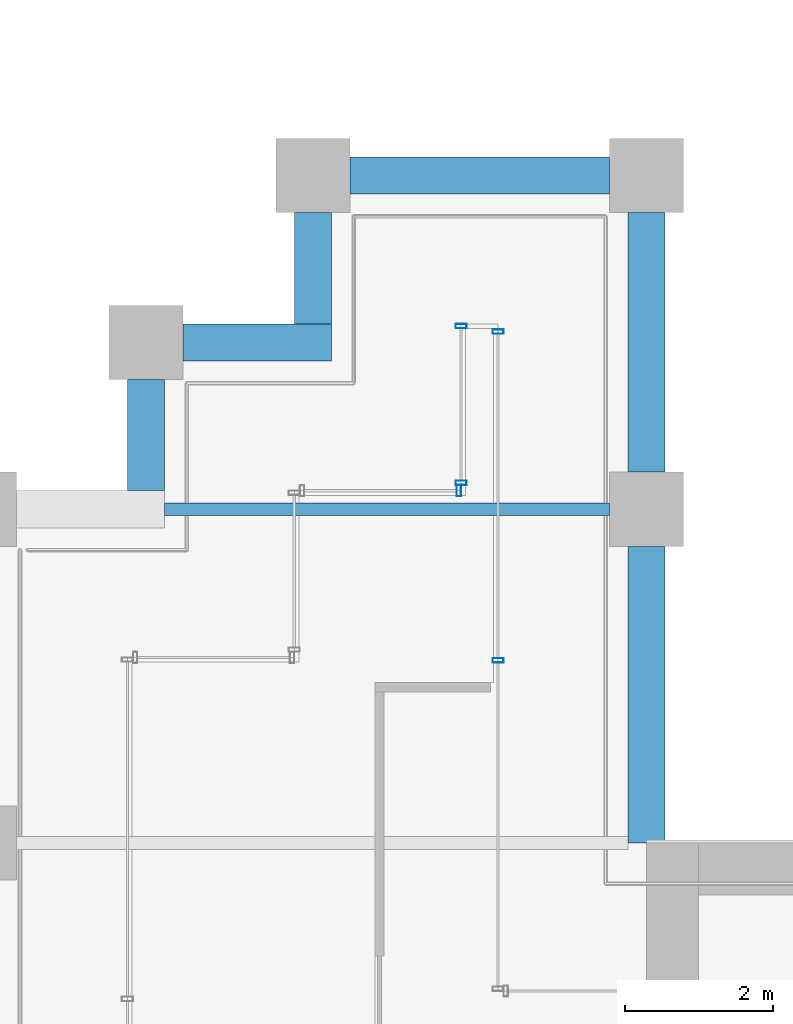
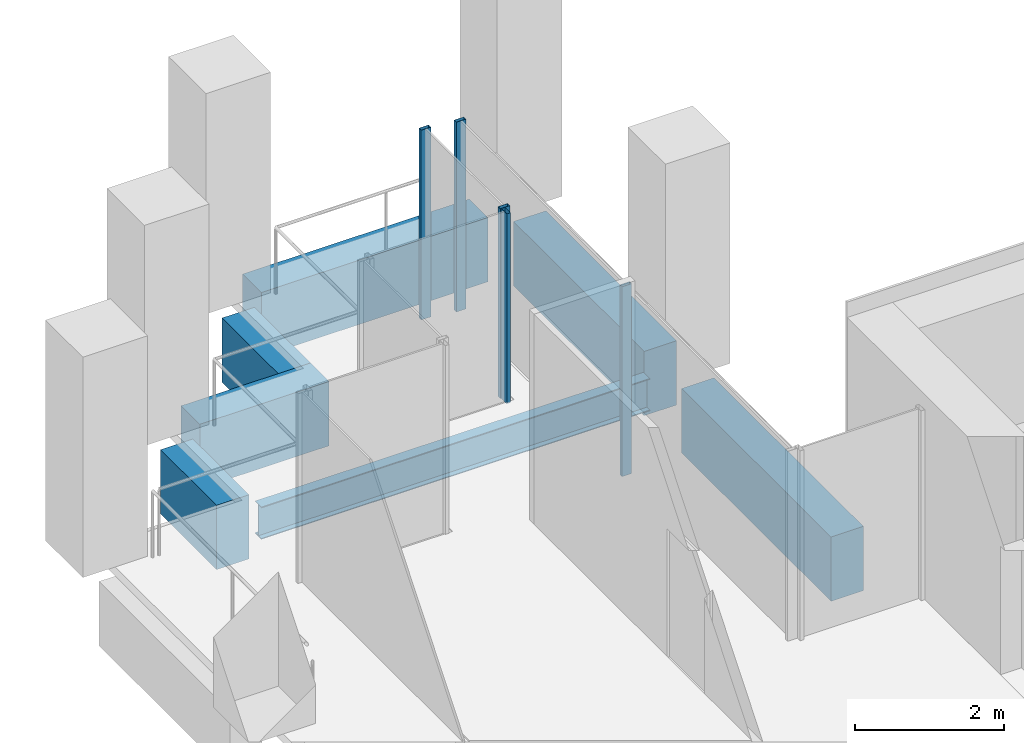
# One storey, part 35 of 46: 7 beams, 5 members, 3 elements without a shape of their own.
"""IFC4 building model written with IfcOpenShell, lengths in metres."""

import ifcopenshell
import ifcopenshell.guid

model = None  # the IFC model being written
_history = None  # IfcOwnerHistory: only IFC2X3 demands one
_inside = {}  # id of a spatial element -> (the spatial element, [elements in it])
_under = {}  # id of a project, library or spatial element -> (it, [spatial elements below it])
_declared = {}  # id of a project -> (the project, [libraries it declares])
_typed = {}  # id of a type object -> (the type object, [elements of that type])
_made_of = {}  # id of a material, layer set ... -> (it, [elements and type objects made of it])


def new_model(schema):
    """Start an empty IFC model of exactly this schema.

    Asked for "IFC4X3", IfcOpenShell would pick the latest addendum, in which some entities
    have other attributes; the version numbers below select the first issue.
    IFC2X3 requires an IfcOwnerHistory on every rooted entity: one is made here for all.
    """
    global model, _history
    if schema == "IFC4X3":
        model = ifcopenshell.file(schema_version=(4, 3, 0, 0))
    else:
        model = ifcopenshell.file(schema=schema)
    _inside.clear()
    _under.clear()
    _declared.clear()
    _typed.clear()
    _made_of.clear()
    _history = None
    if model.schema == "IFC2X3":
        org = make("IfcOrganization", Name="unknown")
        user = make(
            "IfcPersonAndOrganization",
            ThePerson=make("IfcPerson", FamilyName="unknown"),
            TheOrganization=org,
        )
        app = make(
            "IfcApplication",
            ApplicationDeveloper=org,
            Version="unknown",
            ApplicationFullName="unknown",
            ApplicationIdentifier="unknown",
        )
        _history = make(
            "IfcOwnerHistory",
            OwningUser=user,
            OwningApplication=app,
            ChangeAction="ADDED",
            CreationDate=0,
        )
    return model


def make(cls, **values):
    """One entity of the class cls with the attributes given. An attribute that is None is left unset."""
    return model.create_entity(
        cls, **{name: value for name, value in values.items() if value is not None}
    )


def rooted(cls, **values):
    """An entity with a GlobalId (a new one), such as an element, a storey or a relation."""
    return make(cls, GlobalId=ifcopenshell.guid.new(), OwnerHistory=_history, **values)


def si_unit(unit_type, name, prefix=None):
    """IfcSIUnit, for example si_unit("LENGTHUNIT", "METRE", prefix="MILLI")."""
    return make("IfcSIUnit", UnitType=unit_type, Prefix=prefix, Name=name)


def assignment(units):
    """IfcUnitAssignment: the units of a project."""
    return None if units is None else make("IfcUnitAssignment", Units=units)


def point(xyz):
    """IfcCartesianPoint."""
    return None if xyz is None else make("IfcCartesianPoint", Coordinates=xyz)


def direction(xyz):
    """IfcDirection."""
    return None if xyz is None else make("IfcDirection", DirectionRatios=xyz)


def frame(location, z_axis=None, x_axis=None):
    """IfcAxis2Placement3D, a coordinate frame: its origin and axes. An axis left out is left unset."""
    return make(
        "IfcAxis2Placement3D",
        Location=point(location),
        Axis=direction(z_axis),
        RefDirection=direction(x_axis),
    )


def frame_2d(location, x_axis=None):
    """IfcAxis2Placement2D, a coordinate frame in the plane: its origin and x axis."""
    return make(
        "IfcAxis2Placement2D", Location=point(location), RefDirection=direction(x_axis)
    )


def origin():
    """The frame at (0, 0, 0) with its axes left unset."""
    return frame((0.0, 0.0, 0.0))


def origin_2d():
    """The frame at (0, 0) in the plane with its x axis left unset."""
    return frame_2d((0.0, 0.0))


def place(relative_to, where):
    """IfcLocalPlacement: puts the frame where relative to a parent placement (None: the world)."""
    return make(
        "IfcLocalPlacement", PlacementRelTo=relative_to, RelativePlacement=where
    )


def context(
    kind, dimensions, precision=None, world=None, true_north=None, identifier=None
):
    """IfcGeometricRepresentationContext, for example the 3D "Model" context."""
    return make(
        "IfcGeometricRepresentationContext",
        ContextIdentifier=identifier,
        ContextType=kind,
        CoordinateSpaceDimension=dimensions,
        Precision=precision,
        WorldCoordinateSystem=world,
        TrueNorth=true_north,
    )


def subcontext(parent, identifier, kind, view, scale=None):
    """IfcGeometricRepresentationSubContext, for example "Body" below "Model"."""
    return make(
        "IfcGeometricRepresentationSubContext",
        ContextIdentifier=identifier,
        ContextType=kind,
        ParentContext=parent,
        TargetScale=scale,
        TargetView=view,
    )


def project(units=None, contexts=None):
    """IfcProject with its units and contexts."""
    return rooted(
        "IfcProject",
        Name="project",
        RepresentationContexts=contexts,
        UnitsInContext=assignment(units),
    )


def spatial(cls, under=None, at=None, **own):
    """A site, building, storey or space (cls), placed at a placement, below another one or the project."""
    s = rooted(cls, ObjectPlacement=at, **own)
    if under is not None:
        _under.setdefault(under.id(), (under, []))[1].append(s)
    return s


def profile(cls, at=None, kind="AREA", **sizes):
    """A parametric profile (cls). Its sizes go by their IFC names, for example OverallWidth=200.0."""
    return make(cls, ProfileType=kind, Position=at, **sizes)


def rectangle(**sizes):
    """IfcRectangleProfileDef."""
    return profile("IfcRectangleProfileDef", **sizes)


def hollow_rectangle(**sizes):
    """IfcRectangleHollowProfileDef."""
    return profile("IfcRectangleHollowProfileDef", **sizes)


def i_section(**sizes):
    """IfcIShapeProfileDef."""
    return profile("IfcIShapeProfileDef", **sizes)


def extrude(swept, where, along, depth):
    """IfcExtrudedAreaSolid: the profile swept, set in the frame where, extruded along a direction by depth."""
    return make(
        "IfcExtrudedAreaSolid",
        SweptArea=swept,
        Position=where,
        ExtrudedDirection=direction(along),
        Depth=depth,
    )


def shape(context_of_items, identifier, shape_type, items):
    """IfcShapeRepresentation: the items that make up one representation, for example the "Body"."""
    return make(
        "IfcShapeRepresentation",
        ContextOfItems=context_of_items,
        RepresentationIdentifier=identifier,
        RepresentationType=shape_type,
        Items=items,
    )


def material(Name=None, Category=None):
    """IfcMaterial."""
    return make("IfcMaterial", Name=Name, Category=Category)


def material_profile(
    of_material, cross_section, Name=None, Category=None, Priority=None
):
    """IfcMaterialProfile: a cross section and its material."""
    return make(
        "IfcMaterialProfile",
        Name=Name,
        Material=of_material,
        Profile=cross_section,
        Priority=Priority,
        Category=Category,
    )


def profile_set(profiles, Name=None, composite=None):
    """IfcMaterialProfileSet."""
    return make(
        "IfcMaterialProfileSet",
        Name=Name,
        MaterialProfiles=profiles,
        CompositeProfile=composite,
    )


def made_of(thing, what):
    """Note that an element or type object is made of a material, layer set ...; save() writes the relation."""
    if what is not None:
        _made_of.setdefault(what.id(), (what, []))[1].append(thing)
    return thing


def type_object(cls, material=None, **own):
    """A type object (cls), such as IfcWallType, which elements share."""
    return made_of(rooted(cls, **own), material)


def element(
    cls,
    number,
    at=None,
    inside=None,
    cuts=None,
    type_object=None,
    material=None,
    context=None,
    identifier="Body",
    shape_type=None,
    held_by="IfcProductDefinitionShape",
    body=None,
    shapes=None,
    **own,
):
    """One element of the class cls, such as IfcWall. Its Tag is "e" and its number.

    at: its placement. inside: the storey or other place that contains it. cuts: it is an
    opening in that element (IfcRelVoidsElement). A single representation is given by context,
    identifier, shape_type and body (its items); several are given by shapes. held_by: the class
    of the entity that holds the representations. save() writes the other relations.
    """
    e = rooted(cls, Tag="e%d" % number, ObjectPlacement=at, **own)
    if body is not None:
        shapes = [shape(context, identifier, shape_type, body)]
    if shapes is not None:
        e.Representation = make(held_by, Representations=shapes)
    if inside is not None:
        _inside.setdefault(inside.id(), (inside, []))[1].append(e)
    if cuts is not None:
        rooted(
            "IfcRelVoidsElement", RelatingBuildingElement=cuts, RelatedOpeningElement=e
        )
    if type_object is not None:
        _typed.setdefault(type_object.id(), (type_object, []))[1].append(e)
    return made_of(e, material)


def aggregate(whole, parts):
    """IfcRelAggregates: a whole, such as a stair, and the parts it consists of."""
    return rooted("IfcRelAggregates", RelatingObject=whole, RelatedObjects=parts)


def save(model, path):
    """Write the relations noted so far, then the file.

    IfcRelAggregates (storeys below a building ...), IfcRelContainedInSpatialStructure (elements
    in a storey), IfcRelDefinesByType, IfcRelAssociatesMaterial and IfcRelDeclares: one each for
    every whole, place, type object, material and project.
    """
    for whole, parts in _under.values():
        aggregate(whole, parts)
    for where, things in _inside.values():
        rooted(
            "IfcRelContainedInSpatialStructure",
            RelatedElements=things,
            RelatingStructure=where,
        )
    for kind, things in _typed.values():
        rooted("IfcRelDefinesByType", RelatedObjects=things, RelatingType=kind)
    for what, things in _made_of.values():
        rooted("IfcRelAssociatesMaterial", RelatedObjects=things, RelatingMaterial=what)
    for by, libraries in _declared.values():
        rooted("IfcRelDeclares", RelatingContext=by, RelatedDefinitions=libraries)
    model.write(path)


model = new_model("IFC4")

# Units and contexts
model_context = context("Model", 3, precision=1e-05, world=origin(), true_north=direction((0.0, 1.0)))
body_context = subcontext(model_context, "Body", "Model", "MODEL_VIEW")
ifc_project = project(units=[si_unit("LENGTHUNIT", "METRE"), si_unit("AREAUNIT", "SQUARE_METRE"), si_unit("VOLUMEUNIT", "CUBIC_METRE"), si_unit("PLANEANGLEUNIT", "RADIAN"), si_unit("MASSUNIT", "GRAM", prefix="KILO")], contexts=[model_context])

# Site, building, storey
site_placement = place(None, origin())
site = spatial("IfcSite", under=ifc_project, at=site_placement, CompositionType="ELEMENT")
building_placement = place(site_placement, origin())
building = spatial("IfcBuilding", under=site, at=building_placement, Name="Altepetl Exchange Towers", CompositionType="ELEMENT")
storey_placement = place(building_placement, frame((0.0, 0.0, 106.39990234375)))
storey = spatial("IfcBuildingStorey", under=building, at=storey_placement, Name="L26", CompositionType="ELEMENT", Elevation=106.39990234375)

# Beam
ifc_material_1 = material(Name="Steel S355", Category="steel")
ifc_material_profile_1 = material_profile(ifc_material_1, i_section(OverallWidth=0.166015625, OverallDepth=0.529052734375, WebThickness=0.009765625, FlangeThickness=0.013671875, at=origin_2d()), Name="W21X50")
ifc_profile_set_1 = profile_set([ifc_material_profile_1], Name="Steel S355")
beam_type_1 = type_object("IfcBeamType", Name="Floor beam W21X50", PredefinedType="BEAM", material=ifc_profile_set_1)
beam_1_placement = place(storey_placement, frame((97.0, 54.0, -0.414306640625), z_axis=(1.0, 0.0, 0.0), x_axis=(0.0, 1.0, 0.0)))
element("IfcBeam", 1, at=beam_1_placement, inside=storey, type_object=beam_type_1, Name="bm:B:L26:011", PredefinedType="BEAM", context=body_context, shape_type="SweptSolid", body=[
    extrude(i_section(OverallWidth=0.166015625, OverallDepth=0.529052734375, WebThickness=0.009765625, FlangeThickness=0.013671875, at=origin_2d()), origin(), (0.0, 0.0, 1.0), 6.0),
])

# Curtain wall, members
ifc_material_2 = material(Name="Aluminium 6063-T6 glazing", Category="aluminium")
curtain_wall_type = type_object("IfcCurtainWallType", Name="Loggia glazing system", PredefinedType="NOTDEFINED", material=ifc_material_2)
curtain_wall_1_placement = place(storey_placement, origin())
curtain_wall_1 = element("IfcCurtainWall", 2, at=curtain_wall_1_placement, inside=storey, type_object=curtain_wall_type, Name="CW1 run", PredefinedType="NOTDEFINED")
ifc_material_3 = material(Name="Aluminium 6063-T6", Category="aluminium")
ifc_material_profile_2 = material_profile(ifc_material_3, hollow_rectangle(XDim=0.06005859375, YDim=0.14990234375, WallThickness=0.0029296875, at=origin_2d()), Name="Mullion 60x150 aluminium")
ifc_profile_set_2 = profile_set([ifc_material_profile_2], Name="Aluminium 6063-T6")
member_type = type_object("IfcMemberType", Name="Mullion 60x150 aluminium", PredefinedType="MULLION", material=ifc_profile_set_2)
member_1_placement = place(storey_placement, frame((101.5, 51.96240234375, 0.0), z_axis=(0.0, 0.0, 1.0), x_axis=(0.0, 1.0, 0.0)))
member_1 = element("IfcMember", 3, at=member_1_placement, type_object=member_type, Name="MU1 mullion", PredefinedType="MULLION", context=body_context, shape_type="SweptSolid", body=[
    extrude(hollow_rectangle(XDim=0.06005859375, YDim=0.14990234375, WallThickness=0.0029296875, at=origin_2d()), origin(), (0.0, 0.0, 1.0), 3.10009765625),
])
member_2_placement = place(storey_placement, frame((101.5, 56.39501953125, 0.0), z_axis=(0.0, 0.0, 1.0), x_axis=(0.0, 1.0, 0.0)))
member_2 = element("IfcMember", 4, at=member_2_placement, type_object=member_type, Name="MU1 mullion", PredefinedType="MULLION", context=body_context, shape_type="SweptSolid", body=[
    extrude(hollow_rectangle(XDim=0.06005859375, YDim=0.14990234375, WallThickness=0.0029296875, at=origin_2d()), origin(), (0.0, 0.0, 1.0), 3.10009765625),
])
aggregate(curtain_wall_1, [member_1, member_2])

curtain_wall_2_placement = place(storey_placement, origin())
curtain_wall_2 = element("IfcCurtainWall", 5, at=curtain_wall_2_placement, inside=storey, type_object=curtain_wall_type, Name="CW1 run", PredefinedType="NOTDEFINED")
member_3_placement = place(storey_placement, frame((101.0, 56.469970703125, 0.0), z_axis=(0.0, 0.0, 1.0), x_axis=(0.0, -1.0, 0.0)))
member_3 = element("IfcMember", 6, at=member_3_placement, type_object=member_type, Name="MU1 mullion", PredefinedType="MULLION", context=body_context, shape_type="SweptSolid", body=[
    extrude(hollow_rectangle(XDim=0.06005859375, YDim=0.14990234375, WallThickness=0.0029296875, at=origin_2d()), origin(), (0.0, 0.0, 1.0), 3.10009765625),
])
member_4_placement = place(storey_placement, frame((101.0, 54.35498046875, 0.0), z_axis=(0.0, 0.0, 1.0), x_axis=(0.0, -1.0, 0.0)))
member_4 = element("IfcMember", 7, at=member_4_placement, type_object=member_type, Name="MU1 mullion", PredefinedType="MULLION", context=body_context, shape_type="SweptSolid", body=[
    extrude(hollow_rectangle(XDim=0.06005859375, YDim=0.14990234375, WallThickness=0.0029296875, at=origin_2d()), origin(), (0.0, 0.0, 1.0), 3.10009765625),
])
aggregate(curtain_wall_2, [member_3, member_4])

# Curtain wall, member
curtain_wall_3_placement = place(storey_placement, origin())
curtain_wall_3 = element("IfcCurtainWall", 8, at=curtain_wall_3_placement, inside=storey, type_object=curtain_wall_type, Name="CW1 run", PredefinedType="NOTDEFINED")
member_5_placement = place(storey_placement, frame((100.969970703125, 54.25, 0.0), z_axis=(0.0, 0.0, 1.0), x_axis=(-1.0, 0.0, 0.0)))
member_5 = element("IfcMember", 9, at=member_5_placement, type_object=member_type, Name="MU1 mullion", PredefinedType="MULLION", context=body_context, shape_type="SweptSolid", body=[
    extrude(hollow_rectangle(XDim=0.06005859375, YDim=0.14990234375, WallThickness=0.0029296875, at=origin_2d()), origin(), (0.0, 0.0, 1.0), 3.10009765625),
])
aggregate(curtain_wall_3, [member_5])

# Beams
ifc_material_4 = material(Name="Concrete C50/60 precast with cantera rosa facing", Category="concrete")
ifc_material_profile_3 = material_profile(ifc_material_4, rectangle(XDim=0.5, YDim=1.050048828125, at=origin_2d()), Name="500 x 1050")
ifc_profile_set_3 = profile_set([ifc_material_profile_3], Name="Concrete C50/60 precast with cantera rosa facing")
beam_type_2 = type_object("IfcBeamType", Name="Spandrel beam 500x1050 cantera rosa", PredefinedType="SPANDREL", material=ifc_profile_set_3)
beam_2_placement = place(storey_placement, frame((103.5, 49.5, -0.6748046875), z_axis=(0.0, 1.0, 0.0), x_axis=(-1.0, 0.0, 0.0)))
element("IfcBeam", 10, at=beam_2_placement, inside=storey, type_object=beam_type_2, Name="sp:B:L26:015", PredefinedType="SPANDREL", context=body_context, shape_type="SweptSolid", body=[
    extrude(rectangle(XDim=0.5, YDim=1.050048828125, at=origin_2d()), origin(), (0.0, 0.0, 1.0), 4.0),
])
for number, where, z_axis, x_axis, name in (
    (11, (103.5, 54.5, -0.6748046875), (0.0, 1.0, 0.0), (-1.0, 0.0, 0.0), "sp:B:L26:016"),
    (12, (103.0, 58.5, -0.6748046875), (-1.0, 0.0, 0.0), (0.0, -1.0, 0.0), "sp:B:L26:017"),
):
    element("IfcBeam", number, at=place(storey_placement, frame(where, z_axis=z_axis, x_axis=x_axis)), inside=storey, type_object=beam_type_2, Name=name, PredefinedType="SPANDREL", context=body_context, shape_type="SweptSolid", body=[
        extrude(rectangle(XDim=0.5, YDim=1.050048828125, at=origin_2d()), origin(), (0.0, 0.0, 1.0), 3.5),
    ])
beam_3_placement = place(storey_placement, frame((99.0, 58.0, -0.6748046875), z_axis=(0.0, -1.0, 0.0), x_axis=(1.0, 0.0, 0.0)))
element("IfcBeam", 13, at=beam_3_placement, inside=storey, type_object=beam_type_2, Name="sp:B:L26:018", PredefinedType="SPANDREL", context=body_context, shape_type="SweptSolid", body=[
    extrude(rectangle(XDim=0.5, YDim=1.050048828125, at=origin_2d()), origin(), (0.0, 0.0, 1.0), 1.5),
])
beam_4_placement = place(storey_placement, frame((99.25, 56.25, -0.6748046875), z_axis=(-1.0, 0.0, 0.0), x_axis=(0.0, -1.0, 0.0)))
element("IfcBeam", 14, at=beam_4_placement, inside=storey, type_object=beam_type_2, Name="sp:B:L26:019", PredefinedType="SPANDREL", context=body_context, shape_type="SweptSolid", body=[
    extrude(rectangle(XDim=0.5, YDim=1.050048828125, at=origin_2d()), origin(), (0.0, 0.0, 1.0), 2.0),
])
beam_5_placement = place(storey_placement, frame((96.75, 55.75, -0.6748046875), z_axis=(0.0, -1.0, 0.0), x_axis=(1.0, 0.0, 0.0)))
element("IfcBeam", 15, at=beam_5_placement, inside=storey, type_object=beam_type_2, Name="sp:B:L26:020", PredefinedType="SPANDREL", context=body_context, shape_type="SweptSolid", body=[
    extrude(rectangle(XDim=0.5, YDim=1.050048828125, at=origin_2d()), origin(), (0.0, 0.0, 1.0), 1.5),
])

save(model, "model.ifc")
